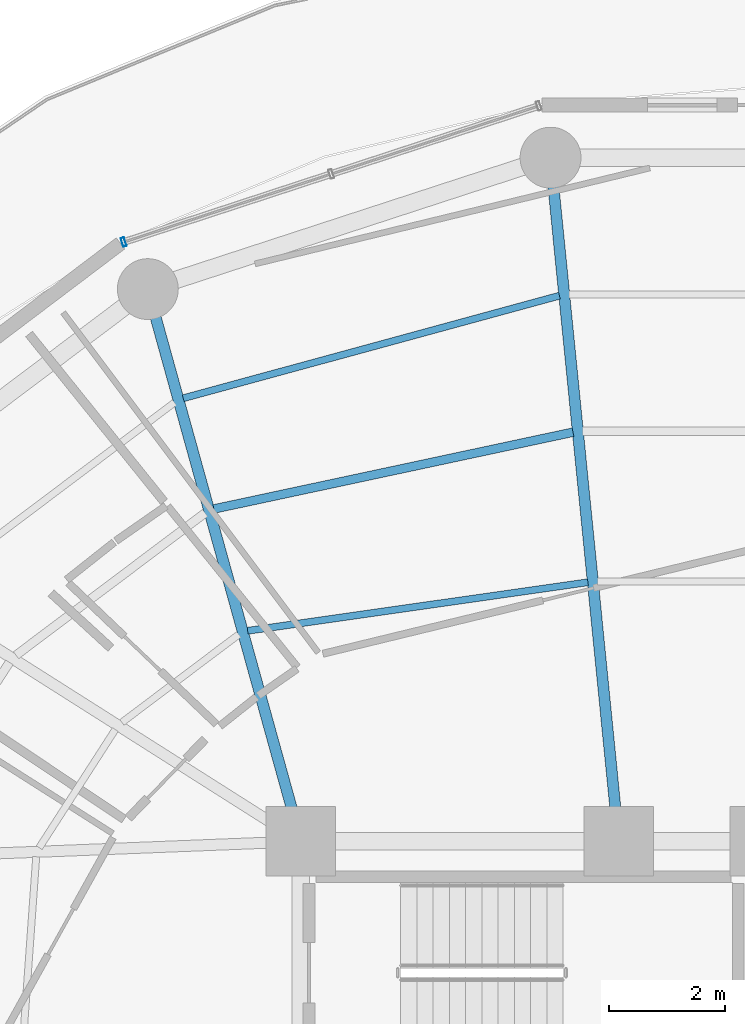
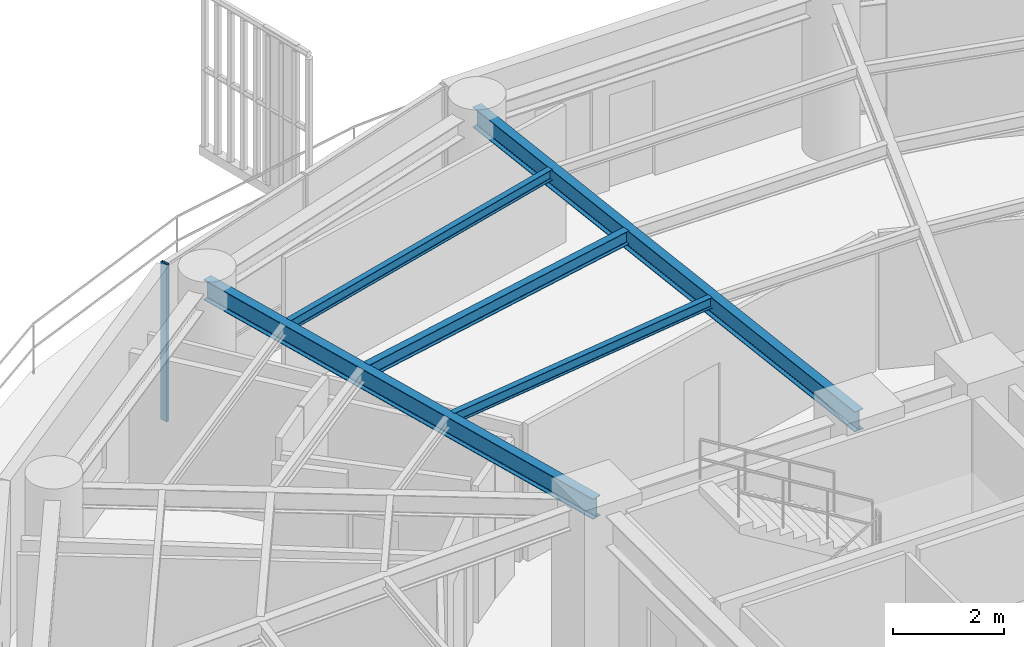
# One storey, part 17 of 30: 5 beams, 1 member, 1 element without a shape of its own.
"""IFC4 building model written with IfcOpenShell, lengths in metres."""

from ifc_helpers import new_model, si_unit, direction, frame, origin, origin_2d, place, context, subcontext, project, spatial, hollow_rectangle, i_section, extrude, material, layer, layer_set, material_profile, profile_set, type_object, element, aggregate, save


model = new_model("IFC4")

# Units and contexts
model_context = context("Model", 3, precision=1e-05, world=origin(), true_north=direction((0.0, 1.0)))
body_context = subcontext(model_context, "Body", "Model", "MODEL_VIEW")
ifc_project = project(units=[si_unit("LENGTHUNIT", "METRE"), si_unit("AREAUNIT", "SQUARE_METRE"), si_unit("VOLUMEUNIT", "CUBIC_METRE"), si_unit("PLANEANGLEUNIT", "RADIAN"), si_unit("MASSUNIT", "GRAM", prefix="KILO")], contexts=[model_context])

# Site, building, storey
site_placement = place(None, origin())
site = spatial("IfcSite", under=ifc_project, at=site_placement, CompositionType="ELEMENT")
building_placement = place(site_placement, origin())
building = spatial("IfcBuilding", under=site, at=building_placement, Name="Kelanora Arch Commons", CompositionType="ELEMENT")
storey_placement = place(building_placement, frame((0.0, 0.0, 211.949951171875)))
storey = spatial("IfcBuildingStorey", under=building, at=storey_placement, Name="L54", CompositionType="ELEMENT", Elevation=211.949951171875)

# Beams
ifc_material_1 = material(Name="Steel S355", Category="steel")
ifc_material_profile_1 = material_profile(ifc_material_1, i_section(OverallWidth=0.14990234375, OverallDepth=0.300048828125, WebThickness=0.007080078125, FlangeThickness=0.0107421875, FilletRadius=0.014892578125, at=origin_2d()), Name="IPE300")
ifc_profile_set_1 = profile_set([ifc_material_profile_1], Name="Steel S355")
beam_type_1 = type_object("IfcBeamType", Name="BM-JST-01", PredefinedType="JOIST", material=ifc_profile_set_1)
beam_1_placement = place(storey_placement, frame((70.69189453125, 72.056396484375, 3.340087890625), z_axis=(-0.977893715981, -0.209102559153, 0.0), x_axis=(0.209102559153, -0.977893715981, 0.0)))
element("IfcBeam", 1, at=beam_1_placement, inside=storey, type_object=beam_type_1, Name="Secondary Chord Joist BJB-10 L54", PredefinedType="JOIST", context=body_context, shape_type="SweptSolid", body=[
    extrude(i_section(OverallWidth=0.14990234375, OverallDepth=0.300048828125, WebThickness=0.007080078125, FlangeThickness=0.0107421875, FilletRadius=0.014892578125, at=origin_2d()), origin(), (0.0, 0.0, 1.0), 6.332763671875),
])
ifc_material_profile_2 = material_profile(ifc_material_1, i_section(OverallWidth=0.1201171875, OverallDepth=0.239990234375, WebThickness=0.006103515625, FlangeThickness=0.009765625, FilletRadius=0.014892578125, at=origin_2d()), Name="IPE240")
ifc_profile_set_2 = profile_set([ifc_material_profile_2], Name="Steel S355")
beam_type_2 = type_object("IfcBeamType", Name="BM-JST-02", PredefinedType="JOIST", material=ifc_profile_set_2)
beam_2_placement = place(storey_placement, frame((70.94921875, 69.46826171875, 3.3701171875), z_axis=(-0.989977480435, -0.141225310164, 0.0), x_axis=(0.141225310164, -0.989977480435, 0.0)))
element("IfcBeam", 2, at=beam_2_placement, inside=storey, type_object=beam_type_2, Name="Secondary Chord Joist BJA-10 L54", PredefinedType="JOIST", context=body_context, shape_type="SweptSolid", body=[
    extrude(i_section(OverallWidth=0.1201171875, OverallDepth=0.239990234375, WebThickness=0.006103515625, FlangeThickness=0.009765625, FilletRadius=0.014892578125, at=origin_2d()), origin(), (0.0, 0.0, 1.0), 5.927734375),
])
beam_3_placement = place(storey_placement, frame((70.457763671875, 74.40966796875, 3.3701171875), z_axis=(-0.964804863594, -0.262966870889, 0.0), x_axis=(0.262966870889, -0.964804863594, 0.0)))
element("IfcBeam", 3, at=beam_3_placement, inside=storey, type_object=beam_type_2, Name="Secondary Chord Joist BJC-10 L54", PredefinedType="JOIST", context=body_context, shape_type="SweptSolid", body=[
    extrude(i_section(OverallWidth=0.1201171875, OverallDepth=0.239990234375, WebThickness=0.006103515625, FlangeThickness=0.009765625, FilletRadius=0.014892578125, at=origin_2d()), origin(), (0.0, 0.0, 1.0), 6.724365234375),
])
ifc_material_profile_3 = material_profile(ifc_material_1, i_section(OverallWidth=0.18994140625, OverallDepth=0.449951171875, WebThickness=0.009521484375, FlangeThickness=0.0146484375, FilletRadius=0.02099609375, at=origin_2d()), Name="IPE450")
ifc_profile_set_3 = profile_set([ifc_material_profile_3], Name="Steel S355")
beam_type_3 = type_object("IfcBeamType", Name="BM-RAD-Z4", PredefinedType="BEAM", material=ifc_profile_set_3)
beam_4_placement = place(storey_placement, frame((71.47998046875, 65.0, 3.26513671875), z_axis=(-0.099193615558, 0.995068151753, 0.0), x_axis=(-0.995068151753, -0.099193615558, 0.0)))
element("IfcBeam", 4, at=beam_4_placement, inside=storey, type_object=beam_type_3, Name="Radial Floor Girder BR-10 L54", PredefinedType="BEAM", context=body_context, shape_type="SweptSolid", body=[
    extrude(i_section(OverallWidth=0.18994140625, OverallDepth=0.449951171875, WebThickness=0.009521484375, FlangeThickness=0.0146484375, FilletRadius=0.02099609375, at=origin_2d()), origin(), (0.0, 0.0, 1.0), 11.848388671875),
])
beam_5_placement = place(storey_placement, frame((66.0, 65.0, 3.26513671875), z_axis=(-0.267120164296, 0.963663228429, 0.0), x_axis=(-0.963663228429, -0.267120164296, 0.0)))
element("IfcBeam", 5, at=beam_5_placement, inside=storey, type_object=beam_type_3, Name="Radial Floor Girder BR-12 L54", PredefinedType="BEAM", context=body_context, shape_type="SweptSolid", body=[
    extrude(i_section(OverallWidth=0.18994140625, OverallDepth=0.449951171875, WebThickness=0.009521484375, FlangeThickness=0.0146484375, FilletRadius=0.02099609375, at=origin_2d()), origin(), (0.0, 0.0, 1.0), 9.8828125),
])

# Curtain wall, member
ifc_material_2 = material(Name="Terracotta ceramic-fritted low-E glass and aluminium", Category="masonry")
ifc_layer = layer(ifc_material_2, 0.175048828125)
ifc_layer_set = layer_set([ifc_layer], Name="Terracotta ceramic-fritted low-E glass and aluminium")
curtain_wall_type = type_object("IfcCurtainWallType", Name="CW-SYS-02", PredefinedType="NOTDEFINED", material=ifc_layer_set)
curtain_wall_placement = place(storey_placement, origin())
curtain_wall = element("IfcCurtainWall", 6, at=curtain_wall_placement, inside=storey, type_object=curtain_wall_type, Name="Unitised Curtain Wall L54-B05", PredefinedType="NOTDEFINED")
ifc_material_3 = material(Name="Powder-coated aluminium terracotta", Category="masonry")
ifc_material_profile_4 = material_profile(ifc_material_3, hollow_rectangle(XDim=0.159912109375, YDim=0.06005859375, WallThickness=0.0048828125, InnerFilletRadius=0.0048828125, OuterFilletRadius=0.010009765625, at=origin_2d()), Name="CWM160x60")
ifc_profile_set_4 = profile_set([ifc_material_profile_4], Name="Powder-coated aluminium terracotta")
member_type = type_object("IfcMemberType", Name="CWM-STD", PredefinedType="MULLION", material=ifc_profile_set_4)
member_placement = place(storey_placement, frame((62.94287109375, 75.33447265625, 0.0), z_axis=(0.0, 0.0, 1.0), x_axis=(0.311582439059, -0.950219124029, 0.0)))
member = element("IfcMember", 7, at=member_placement, type_object=member_type, Name="CW-02 mullion 3", PredefinedType="MULLION", context=body_context, shape_type="SweptSolid", body=[
    extrude(hollow_rectangle(XDim=0.159912109375, YDim=0.06005859375, WallThickness=0.0048828125, InnerFilletRadius=0.0048828125, OuterFilletRadius=0.010009765625, at=origin_2d()), origin(), (0.0, 0.0, 1.0), 3.47509765625),
])
aggregate(curtain_wall, [member])

save(model, "model.ifc")
